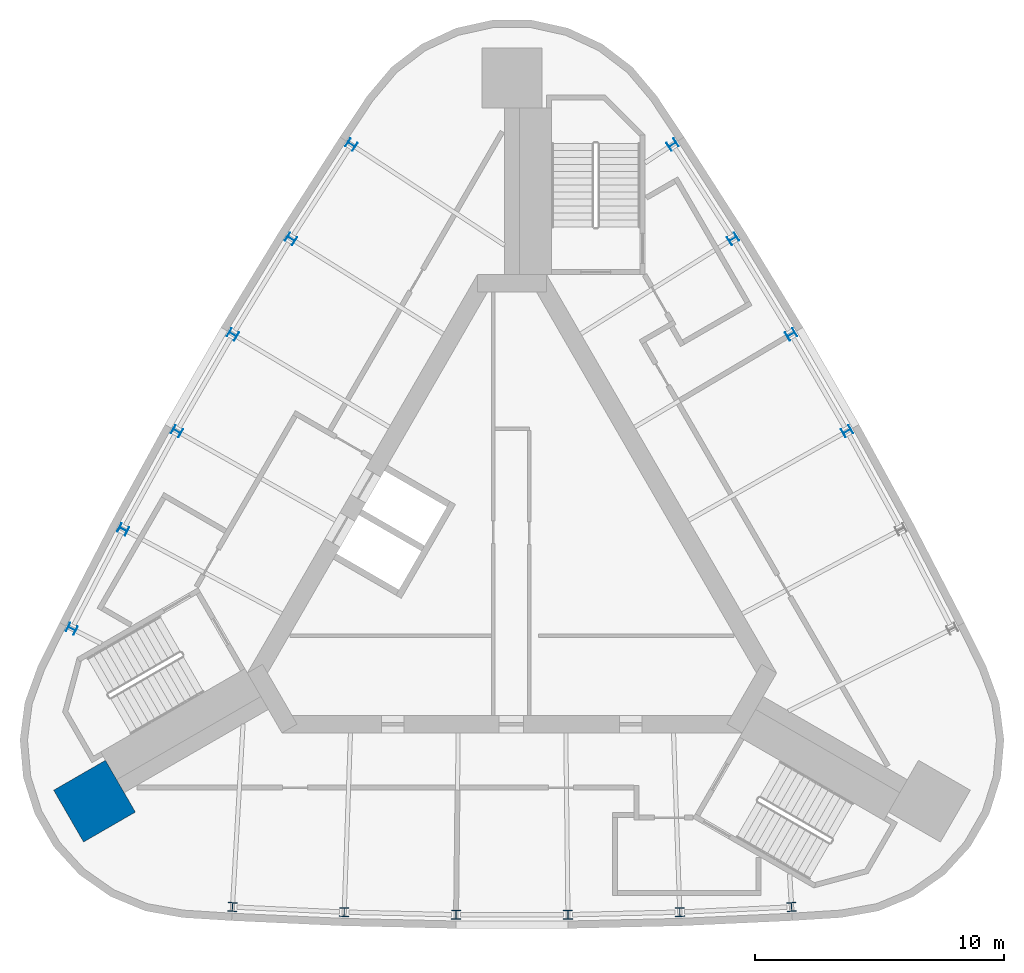
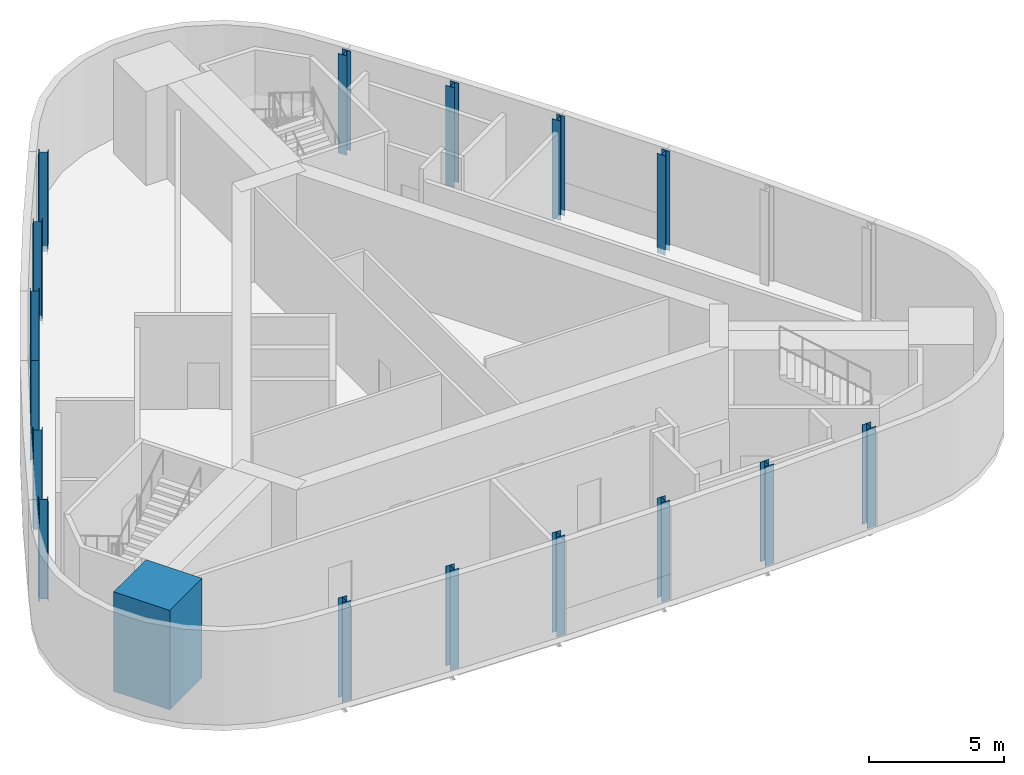
# One storey, part 1 of 7: 17 columns.
"""IFC4 building model written with IfcOpenShell, lengths in metres."""

from ifc_helpers import new_model, si_unit, direction, frame, origin, origin_2d, place, context, subcontext, project, spatial, rectangle, i_section, extrude, material, material_profile, profile_set, type_object, element, save


model = new_model("IFC4")

# Units and contexts
model_context = context("Model", 3, precision=1e-05, world=origin(), true_north=direction((0.0, 1.0)))
body_context = subcontext(model_context, "Body", "Model", "MODEL_VIEW")
ifc_project = project(units=[si_unit("LENGTHUNIT", "METRE"), si_unit("AREAUNIT", "SQUARE_METRE"), si_unit("VOLUMEUNIT", "CUBIC_METRE"), si_unit("PLANEANGLEUNIT", "RADIAN"), si_unit("MASSUNIT", "GRAM", prefix="KILO")], contexts=[model_context])

# Site, building, storey
site_placement = place(None, origin())
site = spatial("IfcSite", under=ifc_project, at=site_placement, CompositionType="ELEMENT")
building_placement = place(site_placement, origin())
building = spatial("IfcBuilding", under=site, at=building_placement, Name="Noor Cloister Tower", CompositionType="ELEMENT")
storey_placement = place(building_placement, frame((0.0, 0.0, 279.60009765625)))
storey = spatial("IfcBuildingStorey", under=building, at=storey_placement, Name="L71", CompositionType="ELEMENT", Elevation=279.60009765625)

# Columns
ifc_material_1 = material(Name="Steel ASTM A992 Gr 50", Category="steel")
ifc_material_profile_1 = material_profile(ifc_material_1, i_section(OverallWidth=0.367919921875, OverallDepth=0.35595703125, WebThickness=0.01123046875, FlangeThickness=0.01806640625, FilletRadius=0.015380859375, at=origin_2d()), Name="W360x134")
ifc_profile_set_1 = profile_set([ifc_material_profile_1], Name="Steel ASTM A992 Gr 50")
column_type_1 = type_object("IfcColumnType", Name="Column W360x134", PredefinedType="COLUMN", material=ifc_profile_set_1)
for number, where, z_axis, x_axis, name in (
    (1, (-6.441650390625, 16.66552734375, -0.25), (0.0, 0.0, 1.0), (-0.549344612048, -0.835595893488, 0.0), "Column NW 01 L71"),
    (2, (-8.863037109375, 12.8876953125, -0.25), (0.0, 0.0, 1.0), (-0.529819164802, -0.84811063701, 0.0), "Column NW 02 L71"),
    (3, (-11.196044921875, 9.0546875, -0.25), (0.0, 0.0, 1.0), (-0.51000874803, -0.860169214127, 0.0), "Column NW 03 L71"),
    (4, (-13.439697265625, 5.168701171875, -0.25), (0.0, 0.0, 1.0), (-0.489924016972, -0.87176513901, 0.0), "Column NW 04 L71"),
    (5, (-15.592529296875, 1.231689453125, -0.25), (0.0, 0.0, 1.0), (-0.469575774469, -0.882892174635, 0.0), "Column NW 05 L71"),
    (6, (-17.653564453125, -2.75390625, -0.25), (0.0, 0.0, 1.0), (-0.448974965035, -0.893544336209, 0.0), "Column NW 06 L71"),
    (7, (-11.2119140625, -13.911376953125, -0.25), (0.0, 0.0, 1.0), (0.998319577082, -0.057948442721, 0.0), "Column S 01 L71"),
    (8, (-6.7294921875, -14.119384765625, -0.25), (0.0, 0.0, 1.0), (0.999394939271, -0.034781537625, 0.0), "Column S 02 L71"),
    (9, (-2.24365234375, -14.2236328125, -0.25), (0.0, 0.0, 1.0), (0.999932765003, -0.011595924883, 0.0), "Column S 03 L71"),
    (10, (2.24365234375, -14.2236328125, -0.25), (0.0, 0.0, 1.0), (0.999932765003, 0.011595924883, 0.0), "Column S 04 L71"),
    (11, (6.7294921875, -14.119384765625, -0.25), (0.0, 0.0, 1.0), (0.999394939271, 0.034781537625, 0.0), "Column S 05 L71"),
    (12, (11.2119140625, -13.911376953125, -0.25), (0.0, 0.0, 1.0), (0.998319577082, 0.057948442721, 0.0), "Column S 06 L71"),
    (13, (13.439697265625, 5.168701171875, -0.25), (0.0, 0.0, 1.0), (-0.489924016972, 0.87176513901, 0.0), "Column NE 03 L71"),
    (14, (11.196044921875, 9.0546875, -0.25), (0.0, 0.0, 1.0), (-0.51000874803, 0.860169214127, 0.0), "Column NE 04 L71"),
    (15, (8.863037109375, 12.8876953125, -0.25), (0.0, 0.0, 1.0), (-0.529819164802, 0.84811063701, 0.0), "Column NE 05 L71"),
    (16, (6.441650390625, 16.66552734375, -0.25), (0.0, 0.0, 1.0), (-0.549344612048, 0.835595893488, 0.0), "Column NE 06 L71"),
):
    element("IfcColumn", number, at=place(storey_placement, frame(where, z_axis=z_axis, x_axis=x_axis)), inside=storey, type_object=column_type_1, Name=name, PredefinedType="COLUMN", context=body_context, shape_type="SweptSolid", body=[
        extrude(i_section(OverallWidth=0.367919921875, OverallDepth=0.35595703125, WebThickness=0.01123046875, FlangeThickness=0.01806640625, FilletRadius=0.015380859375, at=origin_2d()), origin(), (0.0, 0.0, 1.0), 4.5),
    ])
ifc_material_2 = material(Name="Concrete C50/60", Category="concrete")
ifc_material_profile_2 = material_profile(ifc_material_2, rectangle(XDim=2.39990234375, YDim=2.39990234375, at=origin_2d()), Name="RC 2400x2400")
ifc_profile_set_2 = profile_set([ifc_material_profile_2], Name="Concrete C50/60")
column_type_2 = type_object("IfcColumnType", Name="Corner pier 2400 x 2400 C50/60", PredefinedType="COLUMN", material=ifc_profile_set_2)
column_placement = place(storey_placement, frame((-16.74462890625, -9.66748046875, -0.25), z_axis=(0.0, 0.0, 1.0), x_axis=(-0.866025403784, -0.5, 0.0)))
element("IfcColumn", 17, at=column_placement, inside=storey, type_object=column_type_2, Name="Corner pier SW L71", PredefinedType="COLUMN", context=body_context, shape_type="SweptSolid", body=[
    extrude(rectangle(XDim=2.39990234375, YDim=2.39990234375, at=origin_2d()), origin(), (0.0, 0.0, 1.0), 4.5),
])

save(model, "model.ifc")
